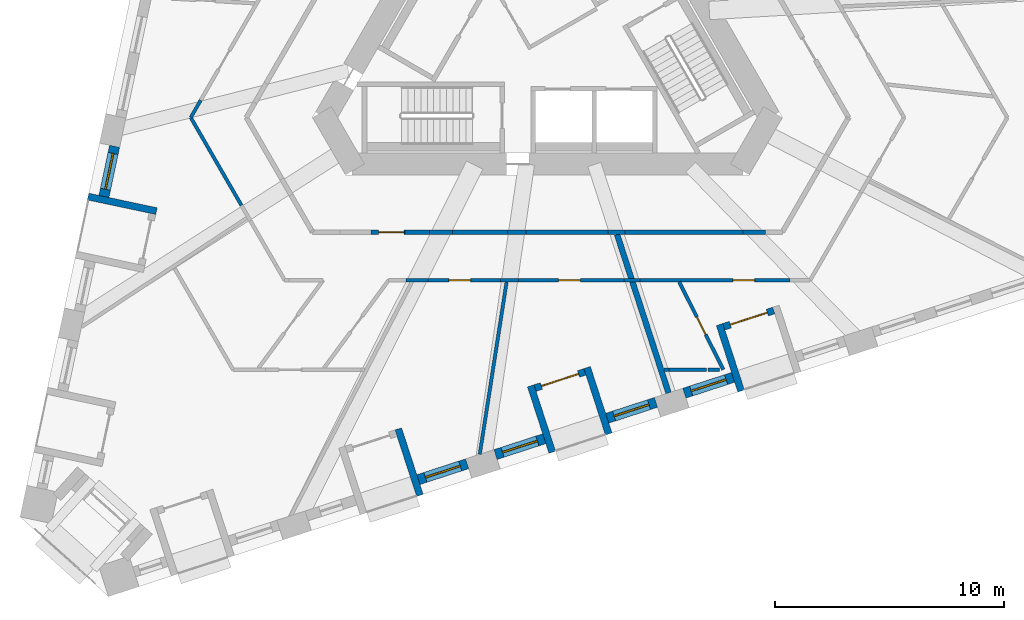
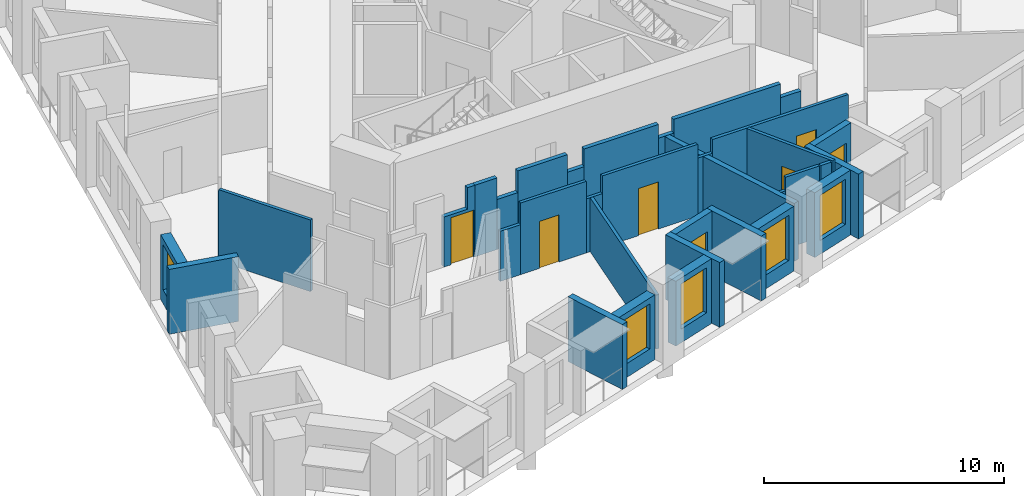
# One storey, part 3 of 12: 35 walls, 7 doors, 5 windows, 12 openings.
"""IFC4 building model written with IfcOpenShell, lengths in metres."""

from ifc_helpers import new_model, si_unit, direction, frame, frame_2d, origin, place, context, subcontext, project, spatial, polyline, rectangle, outline, extrude, material, layer, layer_set, type_object, element, fill, save


model = new_model("IFC4")

# Units and contexts
model_context = context("Model", 3, precision=1e-05, world=origin(), true_north=direction((0.0, 1.0)))
body_context = subcontext(model_context, "Body", "Model", "MODEL_VIEW")
ifc_project = project(units=[si_unit("LENGTHUNIT", "METRE"), si_unit("AREAUNIT", "SQUARE_METRE"), si_unit("VOLUMEUNIT", "CUBIC_METRE"), si_unit("PLANEANGLEUNIT", "RADIAN"), si_unit("MASSUNIT", "GRAM", prefix="KILO")], contexts=[model_context])

# Site, building, storey
site_placement = place(None, origin())
site = spatial("IfcSite", under=ifc_project, at=site_placement, CompositionType="ELEMENT")
building_placement = place(site_placement, origin())
building = spatial("IfcBuilding", under=site, at=building_placement, Name="Tramontana Tower", CompositionType="ELEMENT")
storey_placement = place(building_placement, frame((0.0, 0.0, 88.39990234375)))
storey = spatial("IfcBuildingStorey", under=building, at=storey_placement, Name="L19", CompositionType="ELEMENT", Elevation=88.39990234375)

# Walls
ifc_material_1 = material(Name="Blockwork", Category="masonry")
ifc_layer_1 = layer(ifc_material_1, 0.199951171875)
ifc_layer_set_1 = layer_set([ifc_layer_1], Name="ENTRY WALL 200")
wall_type_1 = type_object("IfcWallType", Name="ENTRY WALL 200", PredefinedType="SOLIDWALL", material=ifc_layer_set_1)
wall_1_placement = place(storey_placement, frame((9.50439453125, -9.25, 0.0), z_axis=(0.0, 0.0, 1.0), x_axis=(-1.0, 0.0, 0.0)))
element("IfcWall", 1, at=wall_1_placement, inside=storey, type_object=wall_type_1, Name="Wall v20-ew2-1", PredefinedType="SOLIDWALL", context=body_context, shape_type="SweptSolid", body=[
    extrude(rectangle(XDim=0.9775390625, YDim=0.199951171875, at=frame_2d((0.48876953125, 0.0))), origin(), (0.0, 0.0, 1.0), 2.9501953125),
])
wall_2_placement = place(storey_placement, frame((8.52685546875, -9.25, 0.0), z_axis=(0.0, 0.0, 1.0), x_axis=(-1.0, 0.0, 0.0)))
element("IfcWall", 2, at=wall_2_placement, inside=storey, type_object=wall_type_1, Name="Wall v20-ew2-2", PredefinedType="SOLIDWALL", context=body_context, shape_type="SweptSolid", body=[
    extrude(rectangle(XDim=5.1533203125, YDim=0.199951171875, at=frame_2d((2.57666015625, 0.0))), origin(), (0.0, 0.0, 1.0), 3.650146484375),
])
wall_3_placement = place(storey_placement, frame((3.37353515625, -9.25, 0.0), z_axis=(0.0, 0.0, 1.0), x_axis=(-1.0, 0.0, 0.0)))
element("IfcWall", 3, at=wall_3_placement, inside=storey, type_object=wall_type_1, Name="Wall v20-ew2-3", PredefinedType="SOLIDWALL", context=body_context, shape_type="SweptSolid", body=[
    extrude(rectangle(XDim=0.736083984375, YDim=0.199951171875, at=frame_2d((0.3681640625, 0.0))), origin(), (0.0, 0.0, 1.0), 2.9501953125),
])
wall_4_placement = place(storey_placement, frame((2.637451171875, -9.25, 0.0), z_axis=(0.0, 0.0, 1.0), x_axis=(-1.0, 0.0, 0.0)))
element("IfcWall", 4, at=wall_4_placement, inside=storey, type_object=wall_type_1, Name="Wall v20-ew2-4", PredefinedType="SOLIDWALL", context=body_context, shape_type="SweptSolid", body=[
    extrude(rectangle(XDim=3.576904296875, YDim=0.199951171875, at=frame_2d((1.78857421875, 0.0))), origin(), (0.0, 0.0, 1.0), 3.650146484375),
])
wall_5_placement = place(storey_placement, frame((-0.939453125, -9.25, 0.0), z_axis=(0.0, 0.0, 1.0), x_axis=(-1.0, 0.0, 0.0)))
element("IfcWall", 5, at=wall_5_placement, inside=storey, type_object=wall_type_1, Name="Wall v20-ew2-5", PredefinedType="SOLIDWALL", context=body_context, shape_type="SweptSolid", body=[
    extrude(rectangle(XDim=0.808349609375, YDim=0.199951171875, at=frame_2d((0.404296875, 0.0))), origin(), (0.0, 0.0, 1.0), 2.75),
])
wall_6_placement = place(storey_placement, frame((-1.747802734375, -9.25, 0.0), z_axis=(0.0, 0.0, 1.0), x_axis=(-1.0, 0.0, 0.0)))
element("IfcWall", 6, at=wall_6_placement, inside=storey, type_object=wall_type_1, Name="Wall v20-ew2-6", PredefinedType="SOLIDWALL", context=body_context, shape_type="SweptSolid", body=[
    extrude(rectangle(XDim=2.385498046875, YDim=0.199951171875, at=frame_2d((1.19287109375, 0.0))), origin(), (0.0, 0.0, 1.0), 3.650146484375),
])
wall_7_placement = place(storey_placement, frame((-4.13330078125, -9.25, 0.0), z_axis=(0.0, 0.0, 1.0), x_axis=(-1.0, 0.0, 0.0)))
element("IfcWall", 7, at=wall_7_placement, inside=storey, type_object=wall_type_1, Name="Wall v20-ew2-7", PredefinedType="SOLIDWALL", context=body_context, shape_type="SweptSolid", body=[
    extrude(rectangle(XDim=1.0068359375, YDim=0.199951171875, at=frame_2d((0.50341796875, 0.0))), origin(), (0.0, 0.0, 1.0), 2.550048828125),
])
wall_8_placement = place(storey_placement, frame((-5.14013671875, -9.25, 0.0), z_axis=(0.0, 0.0, 1.0), x_axis=(-1.0, 0.0, 0.0)))
element("IfcWall", 8, at=wall_8_placement, inside=storey, type_object=wall_type_1, Name="Wall v20-ew2-8", PredefinedType="SOLIDWALL", context=body_context, shape_type="SweptSolid", body=[
    extrude(rectangle(XDim=1.069580078125, YDim=0.199951171875, at=frame_2d((0.53466796875, 0.0))), origin(), (0.0, 0.0, 1.0), 3.650146484375),
])

# Wall, opening, door
wall_9_placement = place(storey_placement, frame((-7.695556640625, -9.25, 0.0), z_axis=(0.0, 0.0, 1.0), x_axis=(1.0, 0.0, 0.0)))
wall_9 = element("IfcWall", 9, at=wall_9_placement, inside=storey, type_object=wall_type_1, Name="Wall v20-ew2-9", PredefinedType="SOLIDWALL", context=body_context, shape_type="SweptSolid", body=[
    extrude(outline(polyline([(0.0, 0.0), (1.48583984375, 0.0), (1.48583984375, 3.650146484375), (1.13623046875, 3.650146484375), (1.13623046875, 2.550048828125), (0.0, 2.550048828125), (0.0, 0.0)])), frame((0.0, 0.10009765625, 0.0), z_axis=(0.0, -1.0, 0.0), x_axis=(1.0, 0.0, 0.0)), (0.0, 0.0, 1.0), 0.199951171875),
])
opening_1_placement = place(wall_9_placement, frame((0.3359375, 0.0, 0.0)))
opening_1 = element("IfcOpeningElement", 10, at=opening_1_placement, cuts=wall_9, Name="Opening B2A-23", PredefinedType="OPENING", context=body_context, shape_type="SweptSolid", body=[
    extrude(rectangle(XDim=1.10009765625, YDim=2.39990234375, at=frame_2d((0.550048828125, 1.199951171875))), frame((0.0, 0.10986328125, 0.0), z_axis=(0.0, -1.0, 0.0), x_axis=(1.0, 0.0, 0.0)), (0.0, 0.0, 1.0), 0.219970703125),
])
ifc_material_2 = material(Name="Painted timber", Category="wood")
door_type_1 = type_object("IfcDoorType", Name="DOOR ENTRY 1100", OperationType="SINGLE_SWING_LEFT", PredefinedType="DOOR", material=ifc_material_2)
door_1_placement = place(opening_1_placement, origin())
door_1 = element("IfcDoor", 11, at=door_1_placement, inside=storey, type_object=door_type_1, Name="Door B2A-23", OperationType="SINGLE_SWING_LEFT", OverallHeight=2.39990234375, OverallWidth=1.10009765625, PredefinedType="DOOR", context=body_context, shape_type="SweptSolid", body=[
    extrude(rectangle(XDim=1.10009765625, YDim=2.39990234375, at=frame_2d((0.550048828125, 1.199951171875))), frame((0.0, 0.02490234375, 0.0), z_axis=(0.0, -1.0, 0.0), x_axis=(1.0, 0.0, 0.0)), (0.0, 0.0, 1.0), 0.050048828125),
])
fill(opening_1, door_1)

# Wall, opening, window
ifc_material_3 = material(Name="Precast concrete 60 MPa", Category="concrete")
ifc_layer_2 = layer(ifc_material_3, 0.449951171875)
ifc_layer_set_2 = layer_set([ifc_layer_2], Name="Precast concrete 60 MPa, 450 mm")
wall_type_2 = type_object("IfcWallType", Name="EW1 Stone-faced precast wall 450", PredefinedType="SOLIDWALL", material=ifc_layer_set_2)
wall_10_placement = place(storey_placement, frame((-18.882080078125, -5.504638671875, 0.0), z_axis=(0.0, 0.0, 1.0), x_axis=(-0.207918801611, -0.978146089261, 0.0)))
wall_10 = element("IfcWall", 12, at=wall_10_placement, inside=storey, type_object=wall_type_2, Name="External wall L19 face 0 bay 5", PredefinedType="SOLIDWALL", context=body_context, shape_type="SweptSolid", body=[
    extrude(rectangle(XDim=2.23681640625, YDim=0.449951171875, at=frame_2d((1.118408203125, 0.0))), origin(), (0.0, 0.0, 1.0), 3.300048828125),
])
opening_2_placement = place(wall_10_placement, frame((0.318359375, 0.0, 0.699951171875)))
opening_2 = element("IfcOpeningElement", 13, at=opening_2_placement, cuts=wall_10, Name="Opening M1", PredefinedType="OPENING", context=body_context, shape_type="SweptSolid", body=[
    extrude(rectangle(XDim=1.60009765625, YDim=2.300048828125, at=frame_2d((0.800048828125, 1.14990234375))), frame((0.0, 0.23486328125, 0.0), z_axis=(0.0, -1.0, 0.0), x_axis=(1.0, 0.0, 0.0)), (0.0, 0.0, 1.0), 0.469970703125),
])
ifc_material_4 = material(Name="Aluminum frame, double glazing unit", Category="aluminium")
window_type = type_object("IfcWindowType", Name="M1 Window 1.6 x 2.3", PartitioningType="SINGLE_PANEL", PredefinedType="WINDOW", material=ifc_material_4)
window_1_placement = place(opening_2_placement, origin())
window_1 = element("IfcWindow", 14, at=window_1_placement, inside=storey, type_object=window_type, Name="Window M1 L19 face 0 module 13", OverallHeight=2.300048828125, OverallWidth=1.60009765625, PartitioningType="SINGLE_PANEL", PredefinedType="WINDOW", context=body_context, shape_type="SweptSolid", body=[
    extrude(rectangle(XDim=1.60009765625, YDim=2.300048828125, at=frame_2d((0.800048828125, 1.14990234375))), frame((0.0, 0.030029296875, 0.0), z_axis=(0.0, -1.0, 0.0), x_axis=(1.0, 0.0, 0.0)), (0.0, 0.0, 1.0), 0.06005859375),
])
fill(opening_2, window_1)

wall_11_placement = place(storey_placement, frame((-5.628173828125, -20.045166015625, 0.0), z_axis=(0.0, 0.0, 1.0), x_axis=(0.951057328329, 0.30901449518, 0.0)))
wall_11 = element("IfcWall", 15, at=wall_11_placement, inside=storey, type_object=wall_type_2, Name="External wall L19 face 1 bay 2", PredefinedType="SOLIDWALL", context=body_context, shape_type="SweptSolid", body=[
    extrude(rectangle(XDim=2.236572265625, YDim=0.449951171875, at=frame_2d((1.1181640625, 0.0))), origin(), (0.0, 0.0, 1.0), 3.300048828125),
])
opening_3_placement = place(wall_11_placement, frame((0.318359375, 0.0, 0.699951171875)))
opening_3 = element("IfcOpeningElement", 16, at=opening_3_placement, cuts=wall_11, Name="Opening M1", PredefinedType="OPENING", context=body_context, shape_type="SweptSolid", body=[
    extrude(rectangle(XDim=1.60009765625, YDim=2.300048828125, at=frame_2d((0.800048828125, 1.14990234375))), frame((0.0, 0.23486328125, 0.0), z_axis=(0.0, -1.0, 0.0), x_axis=(1.0, 0.0, 0.0)), (0.0, 0.0, 1.0), 0.469970703125),
])
window_2_placement = place(opening_3_placement, origin())
window_2 = element("IfcWindow", 17, at=window_2_placement, inside=storey, type_object=window_type, Name="Window M1 L19 face 1 module 6", OverallHeight=2.300048828125, OverallWidth=1.60009765625, PartitioningType="SINGLE_PANEL", PredefinedType="WINDOW", context=body_context, shape_type="SweptSolid", body=[
    extrude(rectangle(XDim=1.60009765625, YDim=2.300048828125, at=frame_2d((0.800048828125, 1.14990234375))), frame((0.0, 0.030029296875, 0.0), z_axis=(0.0, -1.0, 0.0), x_axis=(1.0, 0.0, 0.0)), (0.0, 0.0, 1.0), 0.06005859375),
])
fill(opening_3, window_2)

wall_12_placement = place(storey_placement, frame((-2.264404296875, -18.952392578125, 0.0), z_axis=(0.0, 0.0, 1.0), x_axis=(0.951057328329, 0.30901449518, 0.0)))
wall_12 = element("IfcWall", 18, at=wall_12_placement, inside=storey, type_object=wall_type_2, Name="External wall L19 face 1 bay 3", PredefinedType="SOLIDWALL", context=body_context, shape_type="SweptSolid", body=[
    extrude(rectangle(XDim=2.236572265625, YDim=0.449951171875, at=frame_2d((1.1181640625, 0.0))), origin(), (0.0, 0.0, 1.0), 3.300048828125),
])
opening_4_placement = place(wall_12_placement, frame((0.318359375, 0.0, 0.699951171875)))
opening_4 = element("IfcOpeningElement", 19, at=opening_4_placement, cuts=wall_12, Name="Opening M1", PredefinedType="OPENING", context=body_context, shape_type="SweptSolid", body=[
    extrude(rectangle(XDim=1.60009765625, YDim=2.300048828125, at=frame_2d((0.800048828125, 1.14990234375))), frame((0.0, 0.23486328125, 0.0), z_axis=(0.0, -1.0, 0.0), x_axis=(1.0, 0.0, 0.0)), (0.0, 0.0, 1.0), 0.469970703125),
])
window_3_placement = place(opening_4_placement, origin())
window_3 = element("IfcWindow", 20, at=window_3_placement, inside=storey, type_object=window_type, Name="Window M1 L19 face 1 module 7", OverallHeight=2.300048828125, OverallWidth=1.60009765625, PartitioningType="SINGLE_PANEL", PredefinedType="WINDOW", context=body_context, shape_type="SweptSolid", body=[
    extrude(rectangle(XDim=1.60009765625, YDim=2.300048828125, at=frame_2d((0.800048828125, 1.14990234375))), frame((0.0, 0.030029296875, 0.0), z_axis=(0.0, -1.0, 0.0), x_axis=(1.0, 0.0, 0.0)), (0.0, 0.0, 1.0), 0.06005859375),
])
fill(opening_4, window_3)

wall_13_placement = place(storey_placement, frame((2.608154296875, -17.369140625, 0.0), z_axis=(0.0, 0.0, 1.0), x_axis=(0.951067749801, 0.30898241906, 0.0)))
wall_13 = element("IfcWall", 21, at=wall_13_placement, inside=storey, type_object=wall_type_2, Name="External wall L19 face 1 bay 3", PredefinedType="SOLIDWALL", context=body_context, shape_type="SweptSolid", body=[
    extrude(rectangle(XDim=2.23681640625, YDim=0.449951171875, at=frame_2d((1.118408203125, 0.0))), origin(), (0.0, 0.0, 1.0), 3.300048828125),
])
opening_5_placement = place(wall_13_placement, frame((0.318359375, 0.0, 0.699951171875)))
opening_5 = element("IfcOpeningElement", 22, at=opening_5_placement, cuts=wall_13, Name="Opening M1", PredefinedType="OPENING", context=body_context, shape_type="SweptSolid", body=[
    extrude(rectangle(XDim=1.60009765625, YDim=2.300048828125, at=frame_2d((0.800048828125, 1.14990234375))), frame((0.0, 0.23486328125, 0.0), z_axis=(0.0, -1.0, 0.0), x_axis=(1.0, 0.0, 0.0)), (0.0, 0.0, 1.0), 0.469970703125),
])
window_4_placement = place(opening_5_placement, origin())
window_4 = element("IfcWindow", 23, at=window_4_placement, inside=storey, type_object=window_type, Name="Window M1 L19 face 1 module 9", OverallHeight=2.300048828125, OverallWidth=1.60009765625, PartitioningType="SINGLE_PANEL", PredefinedType="WINDOW", context=body_context, shape_type="SweptSolid", body=[
    extrude(rectangle(XDim=1.60009765625, YDim=2.300048828125, at=frame_2d((0.800048828125, 1.14990234375))), frame((0.0, 0.030029296875, 0.0), z_axis=(0.0, -1.0, 0.0), x_axis=(1.0, 0.0, 0.0)), (0.0, 0.0, 1.0), 0.06005859375),
])
fill(opening_5, window_4)

wall_14_placement = place(storey_placement, frame((5.971923828125, -16.276123046875, 0.0), z_axis=(0.0, 0.0, 1.0), x_axis=(0.951057328329, 0.30901449518, 0.0)))
wall_14 = element("IfcWall", 24, at=wall_14_placement, inside=storey, type_object=wall_type_2, Name="External wall L19 face 1 bay 4", PredefinedType="SOLIDWALL", context=body_context, shape_type="SweptSolid", body=[
    extrude(rectangle(XDim=2.236572265625, YDim=0.449951171875, at=frame_2d((1.1181640625, 0.0))), origin(), (0.0, 0.0, 1.0), 3.300048828125),
])
opening_6_placement = place(wall_14_placement, frame((0.318359375, 0.0, 0.699951171875)))
opening_6 = element("IfcOpeningElement", 25, at=opening_6_placement, cuts=wall_14, Name="Opening M1", PredefinedType="OPENING", context=body_context, shape_type="SweptSolid", body=[
    extrude(rectangle(XDim=1.60009765625, YDim=2.300048828125, at=frame_2d((0.800048828125, 1.14990234375))), frame((0.0, 0.23486328125, 0.0), z_axis=(0.0, -1.0, 0.0), x_axis=(1.0, 0.0, 0.0)), (0.0, 0.0, 1.0), 0.469970703125),
])
window_5_placement = place(opening_6_placement, origin())
window_5 = element("IfcWindow", 26, at=window_5_placement, inside=storey, type_object=window_type, Name="Window M1 L19 face 1 module 10", OverallHeight=2.300048828125, OverallWidth=1.60009765625, PartitioningType="SINGLE_PANEL", PredefinedType="WINDOW", context=body_context, shape_type="SweptSolid", body=[
    extrude(rectangle(XDim=1.60009765625, YDim=2.300048828125, at=frame_2d((0.800048828125, 1.14990234375))), frame((0.0, 0.030029296875, 0.0), z_axis=(0.0, -1.0, 0.0), x_axis=(1.0, 0.0, 0.0)), (0.0, 0.0, 1.0), 0.06005859375),
])
fill(opening_6, window_5)

# Walls
ifc_material_5 = material(Name="Precast concrete 60 MPa", Category="concrete")
ifc_layer_3 = layer(ifc_material_5, 0.300048828125)
ifc_layer_set_3 = layer_set([ifc_layer_3], Name="LW1 Stone-faced loggia wall 300")
wall_type_3 = type_object("IfcWallType", Name="LW1 Stone-faced loggia wall 300", PredefinedType="SOLIDWALL", material=ifc_layer_set_3)
for number, where, z_axis, x_axis, name in (
    (27, (-20.03857421875, -7.698974609375, 0.0), (0.0, 0.0, 1.0), (0.978154782045, -0.207877902534, 0.0), "Loggia return L19 G2S0.13a"),
    (28, (-5.562255859375, -20.733642578125, 0.0), (0.0, 0.0, 1.0), (-0.308966615996, 0.951072883748, 0.0), "Loggia return L19 G2S1.4b"),
):
    element("IfcWall", number, at=place(storey_placement, frame(where, z_axis=z_axis, x_axis=x_axis)), inside=storey, type_object=wall_type_3, Name=name, PredefinedType="SOLIDWALL", context=body_context, shape_type="SweptSolid", body=[
        extrude(rectangle(XDim=3.050048828125, YDim=0.300048828125, at=frame_2d((1.52490234375, 0.0))), origin(), (0.0, 0.0, 1.0), 3.300048828125),
    ])

# Wall, opening, door
wall_15_placement = place(storey_placement, frame((-0.53955078125, -16.05224609375, 0.0), z_axis=(0.0, 0.0, 1.0), x_axis=(0.951078776318, 0.308948476671, 0.0)))
wall_15 = element("IfcWall", 29, at=wall_15_placement, inside=storey, type_object=wall_type_3, Name="Loggia wall L19 G2S1.7", PredefinedType="SOLIDWALL", context=body_context, shape_type="SweptSolid", body=[
    extrude(rectangle(XDim=2.286865234375, YDim=0.300048828125, at=frame_2d((1.1435546875, 0.0))), origin(), (0.0, 0.0, 1.0), 3.300048828125),
])
opening_7_placement = place(wall_15_placement, frame((0.29345703125, 0.0, 0.0)))
opening_7 = element("IfcOpeningElement", 30, at=opening_7_placement, cuts=wall_15, Name="Opening BD-2S1-07", PredefinedType="OPENING", context=body_context, shape_type="SweptSolid", body=[
    extrude(rectangle(XDim=1.699951171875, YDim=2.39990234375, at=frame_2d((0.85009765625, 1.199951171875))), frame((0.0, 0.159912109375, 0.0), z_axis=(0.0, -1.0, 0.0), x_axis=(1.0, 0.0, 0.0)), (0.0, 0.0, 1.0), 0.320068359375),
])
ifc_material_6 = material(Name="Aluminum frame, double glazing unit", Category="aluminium")
door_type_2 = type_object("IfcDoorType", Name="BD1 Sliding door 1.7 x 2.4", OperationType="SLIDING_TO_LEFT", PredefinedType="DOOR", material=ifc_material_6)
door_2_placement = place(opening_7_placement, origin())
door_2 = element("IfcDoor", 31, at=door_2_placement, inside=storey, type_object=door_type_2, Name="Loggia door L19 G2S1.7", OperationType="SLIDING_TO_LEFT", OverallHeight=2.39990234375, OverallWidth=1.699951171875, PredefinedType="DOOR", context=body_context, shape_type="SweptSolid", body=[
    extrude(rectangle(XDim=1.699951171875, YDim=2.39990234375, at=frame_2d((0.85009765625, 1.199951171875))), frame((0.0, 0.02490234375, 0.0), z_axis=(0.0, -1.0, 0.0), x_axis=(1.0, 0.0, 0.0)), (0.0, 0.0, 1.0), 0.050048828125),
])
fill(opening_7, door_2)

# Walls
wall_16_placement = place(storey_placement, frame((0.214111328125, -18.856689453125, 0.0), z_axis=(0.0, 0.0, 1.0), x_axis=(-0.309062542235, 0.951041715693, 0.0)))
element("IfcWall", 32, at=wall_16_placement, inside=storey, type_object=wall_type_3, Name="Loggia return L19 G2S1.7a", PredefinedType="SOLIDWALL", context=body_context, shape_type="SweptSolid", body=[
    extrude(rectangle(XDim=3.050048828125, YDim=0.300048828125, at=frame_2d((1.52490234375, 0.0))), origin(), (0.0, 0.0, 1.0), 3.300048828125),
])
wall_17_placement = place(storey_placement, frame((2.674072265625, -18.057373046875, 0.0), z_axis=(0.0, 0.0, 1.0), x_axis=(-0.308990138358, 0.951065241925, 0.0)))
element("IfcWall", 33, at=wall_17_placement, inside=storey, type_object=wall_type_3, Name="Loggia return L19 G2S1.7b", PredefinedType="SOLIDWALL", context=body_context, shape_type="SweptSolid", body=[
    extrude(rectangle(XDim=3.0498046875, YDim=0.300048828125, at=frame_2d((1.52490234375, 0.0))), origin(), (0.0, 0.0, 1.0), 3.300048828125),
])

# Wall, opening, door
wall_18_placement = place(storey_placement, frame((7.697021484375, -13.376220703125, 0.0), z_axis=(0.0, 0.0, 1.0), x_axis=(0.95103720697, 0.309076416051, 0.0)))
wall_18 = element("IfcWall", 34, at=wall_18_placement, inside=storey, type_object=wall_type_3, Name="Loggia wall L19 G2S1.10", PredefinedType="SOLIDWALL", context=body_context, shape_type="SweptSolid", body=[
    extrude(rectangle(XDim=2.286865234375, YDim=0.300048828125, at=frame_2d((1.1435546875, 0.0))), origin(), (0.0, 0.0, 1.0), 3.300048828125),
])
opening_8_placement = place(wall_18_placement, frame((0.29345703125, 0.0, 0.0)))
opening_8 = element("IfcOpeningElement", 35, at=opening_8_placement, cuts=wall_18, Name="Opening BD-2S1-10", PredefinedType="OPENING", context=body_context, shape_type="SweptSolid", body=[
    extrude(rectangle(XDim=1.699951171875, YDim=2.39990234375, at=frame_2d((0.85009765625, 1.199951171875))), frame((0.0, 0.159912109375, 0.0), z_axis=(0.0, -1.0, 0.0), x_axis=(1.0, 0.0, 0.0)), (0.0, 0.0, 1.0), 0.320068359375),
])
door_3_placement = place(opening_8_placement, origin())
door_3 = element("IfcDoor", 36, at=door_3_placement, inside=storey, type_object=door_type_2, Name="Loggia door L19 G2S1.10", OperationType="SLIDING_TO_LEFT", OverallHeight=2.39990234375, OverallWidth=1.699951171875, PredefinedType="DOOR", context=body_context, shape_type="SweptSolid", body=[
    extrude(rectangle(XDim=1.699951171875, YDim=2.39990234375, at=frame_2d((0.85009765625, 1.199951171875))), frame((0.0, 0.02490234375, 0.0), z_axis=(0.0, -1.0, 0.0), x_axis=(1.0, 0.0, 0.0)), (0.0, 0.0, 1.0), 0.050048828125),
])
fill(opening_8, door_3)

# Walls
wall_19_placement = place(storey_placement, frame((8.450439453125, -16.1806640625, 0.0), z_axis=(0.0, 0.0, 1.0), x_axis=(-0.309039015525, 0.951049360908, 0.0)))
element("IfcWall", 37, at=wall_19_placement, inside=storey, type_object=wall_type_3, Name="Loggia return L19 G2S1.10a", PredefinedType="SOLIDWALL", context=body_context, shape_type="SweptSolid", body=[
    extrude(rectangle(XDim=3.05029296875, YDim=0.300048828125, at=frame_2d((1.525146484375, 0.0))), origin(), (0.0, 0.0, 1.0), 3.300048828125),
])
ifc_material_7 = material(Name="Gypsum board partition")
ifc_layer_4 = layer(ifc_material_7, 0.14990234375)
ifc_layer_set_4 = layer_set([ifc_layer_4], Name="PARTITION 150")
wall_type_4 = type_object("IfcWallType", Name="PARTITION 150", PredefinedType="PARTITIONING", material=ifc_layer_set_4)
wall_20_placement = place(storey_placement, frame((-15.5595703125, -4.25, 0.0), z_axis=(0.0, 0.0, 1.0), x_axis=(0.499884524299, 0.866092063448, 0.0)))
element("IfcWall", 38, at=wall_20_placement, inside=storey, type_object=wall_type_4, Name="Wall v20-pw02-0", PredefinedType="PARTITIONING", context=body_context, shape_type="SweptSolid", body=[
    extrude(rectangle(XDim=0.869384765625, YDim=0.14990234375, at=frame_2d((0.4345703125, 0.0))), origin(), (0.0, 0.0, 1.0), 2.9501953125),
])
wall_21_placement = place(storey_placement, frame((-13.3466796875, -8.0830078125, 0.0), z_axis=(0.0, 0.0, 1.0), x_axis=(-0.499983483481, 0.866034939391, 0.0)))
element("IfcWall", 39, at=wall_21_placement, inside=storey, type_object=wall_type_4, Name="Wall v20-pw06-3", PredefinedType="PARTITIONING", context=body_context, shape_type="SweptSolid", body=[
    extrude(rectangle(XDim=4.426025390625, YDim=0.14990234375, at=frame_2d((2.212890625, 0.0))), origin(), (0.0, 0.0, 1.0), 3.650146484375),
])
wall_22_placement = place(storey_placement, frame((-1.781005859375, -11.425048828125, 0.0), z_axis=(0.0, 0.0, 1.0), x_axis=(-0.153998853513, -0.988071026352, 0.0)))
element("IfcWall", 40, at=wall_22_placement, inside=storey, type_object=wall_type_4, Name="Wall v20-pw20-0", PredefinedType="PARTITIONING", context=body_context, shape_type="SweptSolid", body=[
    extrude(rectangle(XDim=7.60498046875, YDim=0.14990234375, at=frame_2d((3.802490234375, 0.0))), origin(), (0.0, 0.0, 1.0), 2.75),
])

# Wall, opening, door
wall_23_placement = place(storey_placement, frame((7.6748046875, -15.25, 0.0), z_axis=(0.0, 0.0, 1.0), x_axis=(-0.449561059641, 0.893249603221, 0.0)))
wall_23 = element("IfcWall", 41, at=wall_23_placement, inside=storey, type_object=wall_type_4, Name="Wall v20-pw24", PredefinedType="PARTITIONING", context=body_context, shape_type="SweptSolid", body=[
    extrude(rectangle(XDim=4.281982421875, YDim=0.14990234375, at=frame_2d((2.14111328125, 0.0))), origin(), (0.0, 0.0, 1.0), 3.650146484375),
])
opening_9_placement = place(wall_23_placement, frame((1.716064453125, 0.0, 0.0)))
opening_9 = element("IfcOpeningElement", 42, at=opening_9_placement, cuts=wall_23, Name="Opening B2A-20", PredefinedType="OPENING", context=body_context, shape_type="SweptSolid", body=[
    extrude(rectangle(XDim=0.85009765625, YDim=2.39990234375, at=frame_2d((0.425048828125, 1.199951171875))), frame((0.0, 0.0849609375, 0.0), z_axis=(0.0, -1.0, 0.0), x_axis=(1.0, 0.0, 0.0)), (0.0, 0.0, 1.0), 0.169921875),
])
ifc_material_8 = material(Name="Painted timber", Category="wood")
door_type_3 = type_object("IfcDoorType", Name="DOOR BATH 850", OperationType="SINGLE_SWING_LEFT", PredefinedType="DOOR", material=ifc_material_8)
door_4_placement = place(opening_9_placement, origin())
door_4 = element("IfcDoor", 43, at=door_4_placement, inside=storey, type_object=door_type_3, Name="Door B2A-20", OperationType="SINGLE_SWING_RIGHT", OverallHeight=2.39990234375, OverallWidth=0.85009765625, PredefinedType="DOOR", context=body_context, shape_type="SweptSolid", body=[
    extrude(rectangle(XDim=0.85009765625, YDim=2.39990234375, at=frame_2d((0.425048828125, 1.199951171875))), frame((0.0, 0.02490234375, 0.0), z_axis=(0.0, -1.0, 0.0), x_axis=(1.0, 0.0, 0.0)), (0.0, 0.0, 1.0), 0.050048828125),
])
fill(opening_9, door_4)

# Walls
wall_24_placement = place(storey_placement, frame((6.9404296875, -15.25, 0.0), z_axis=(0.0, 0.0, 1.0), x_axis=(-1.0, 0.0, 0.0)))
element("IfcWall", 44, at=wall_24_placement, inside=storey, type_object=wall_type_4, Name="Wall v20-pw25-0", PredefinedType="PARTITIONING", context=body_context, shape_type="SweptSolid", body=[
    extrude(rectangle(XDim=1.630615234375, YDim=0.14990234375, at=frame_2d((0.8154296875, 0.0))), origin(), (0.0, 0.0, 1.0), 3.650146484375),
])
wall_25_placement = place(storey_placement, frame((5.309814453125, -15.25, 0.0), z_axis=(0.0, 0.0, 1.0), x_axis=(-1.0, 0.0, 0.0)))
element("IfcWall", 45, at=wall_25_placement, inside=storey, type_object=wall_type_4, Name="Wall v20-pw25-1", PredefinedType="PARTITIONING", context=body_context, shape_type="SweptSolid", body=[
    extrude(rectangle(XDim=0.223388671875, YDim=0.14990234375, at=frame_2d((0.11181640625, 0.0))), origin(), (0.0, 0.0, 1.0), 2.9501953125),
])
wall_26_placement = place(storey_placement, frame((7.512451171875, -15.25, 0.0), z_axis=(0.0, 0.0, 1.0), x_axis=(-1.0, 0.0, 0.0)))
element("IfcWall", 46, at=wall_26_placement, inside=storey, type_object=wall_type_4, Name="Wall v20-pw27", PredefinedType="PARTITIONING", context=body_context, shape_type="SweptSolid", body=[
    extrude(rectangle(XDim=0.502197265625, YDim=0.14990234375, at=frame_2d((0.2509765625, 0.0))), origin(), (0.0, 0.0, 1.0), 3.650146484375),
])

# Wall, opening, door
wall_27_placement = place(storey_placement, frame((10.591064453125, -11.35009765625, 0.0), z_axis=(0.0, 0.0, 1.0), x_axis=(-1.0, 0.0, 0.0)))
wall_27 = element("IfcWall", 47, at=wall_27_placement, inside=storey, type_object=wall_type_4, Name="Wall v20-pw32-1", PredefinedType="PARTITIONING", context=body_context, shape_type="SweptSolid", body=[
    extrude(rectangle(XDim=6.54833984375, YDim=0.14990234375, at=frame_2d((3.274169921875, 0.0))), origin(), (0.0, 0.0, 1.0), 3.650146484375),
])
opening_10_placement = place(wall_27_placement, frame((1.55126953125, 0.0, 0.0)))
opening_10 = element("IfcOpeningElement", 48, at=opening_10_placement, cuts=wall_27, Name="Opening B2A-17", PredefinedType="OPENING", context=body_context, shape_type="SweptSolid", body=[
    extrude(rectangle(XDim=0.949951171875, YDim=2.39990234375, at=frame_2d((0.47509765625, 1.199951171875))), frame((0.0, 0.0849609375, 0.0), z_axis=(0.0, -1.0, 0.0), x_axis=(1.0, 0.0, 0.0)), (0.0, 0.0, 1.0), 0.169921875),
])
ifc_material_9 = material(Name="Painted timber", Category="wood")
door_type_4 = type_object("IfcDoorType", Name="DOOR ROOM 950", OperationType="SINGLE_SWING_LEFT", PredefinedType="DOOR", material=ifc_material_9)
door_5_placement = place(opening_10_placement, origin())
door_5 = element("IfcDoor", 49, at=door_5_placement, inside=storey, type_object=door_type_4, Name="Door B2A-17", OperationType="SINGLE_SWING_LEFT", OverallHeight=2.39990234375, OverallWidth=0.949951171875, PredefinedType="DOOR", context=body_context, shape_type="SweptSolid", body=[
    extrude(rectangle(XDim=0.949951171875, YDim=2.39990234375, at=frame_2d((0.47509765625, 1.199951171875))), frame((0.0, 0.02490234375, 0.0), z_axis=(0.0, -1.0, 0.0), x_axis=(1.0, 0.0, 0.0)), (0.0, 0.0, 1.0), 0.050048828125),
])
fill(opening_10, door_5)

# Wall
wall_28_placement = place(storey_placement, frame((4.042724609375, -11.35009765625, 0.0), z_axis=(0.0, 0.0, 1.0), x_axis=(-1.0, 0.0, 0.0)))
element("IfcWall", 50, at=wall_28_placement, inside=storey, type_object=wall_type_4, Name="Wall v20-pw32-2", PredefinedType="PARTITIONING", context=body_context, shape_type="SweptSolid", body=[
    extrude(rectangle(XDim=0.709716796875, YDim=0.14990234375, at=frame_2d((0.35498046875, 0.0))), origin(), (0.0, 0.0, 1.0), 2.9501953125),
])

# Wall, opening, door
wall_29_placement = place(storey_placement, frame((3.3330078125, -11.35009765625, 0.0), z_axis=(0.0, 0.0, 1.0), x_axis=(-1.0, 0.0, 0.0)))
wall_29 = element("IfcWall", 51, at=wall_29_placement, inside=storey, type_object=wall_type_4, Name="Wall v20-pw32-3", PredefinedType="PARTITIONING", context=body_context, shape_type="SweptSolid", body=[
    extrude(rectangle(XDim=4.590087890625, YDim=0.14990234375, at=frame_2d((2.294921875, 0.0))), origin(), (0.0, 0.0, 1.0), 3.650146484375),
])
opening_11_placement = place(wall_29_placement, frame((1.900146484375, 0.0, 0.0)))
opening_11 = element("IfcOpeningElement", 52, at=opening_11_placement, cuts=wall_29, Name="Opening B2A-13", PredefinedType="OPENING", context=body_context, shape_type="SweptSolid", body=[
    extrude(rectangle(XDim=0.949951171875, YDim=2.39990234375, at=frame_2d((0.47509765625, 1.199951171875))), frame((0.0, 0.0849609375, 0.0), z_axis=(0.0, -1.0, 0.0), x_axis=(1.0, 0.0, 0.0)), (0.0, 0.0, 1.0), 0.169921875),
])
door_6_placement = place(opening_11_placement, origin())
door_6 = element("IfcDoor", 53, at=door_6_placement, inside=storey, type_object=door_type_4, Name="Door B2A-13", OperationType="SINGLE_SWING_LEFT", OverallHeight=2.39990234375, OverallWidth=0.949951171875, PredefinedType="DOOR", context=body_context, shape_type="SweptSolid", body=[
    extrude(rectangle(XDim=0.949951171875, YDim=2.39990234375, at=frame_2d((0.47509765625, 1.199951171875))), frame((0.0, 0.02490234375, 0.0), z_axis=(0.0, -1.0, 0.0), x_axis=(1.0, 0.0, 0.0)), (0.0, 0.0, 1.0), 0.050048828125),
])
fill(opening_11, door_6)

# Wall
wall_30_placement = place(storey_placement, frame((-1.257080078125, -11.35009765625, 0.0), z_axis=(0.0, 0.0, 1.0), x_axis=(-1.0, 0.0, 0.0)))
element("IfcWall", 54, at=wall_30_placement, inside=storey, type_object=wall_type_4, Name="Wall v20-pw32-4", PredefinedType="PARTITIONING", context=body_context, shape_type="SweptSolid", body=[
    extrude(rectangle(XDim=0.783203125, YDim=0.14990234375, at=frame_2d((0.3916015625, 0.0))), origin(), (0.0, 0.0, 1.0), 2.75),
])

# Wall, opening, door
wall_31_placement = place(storey_placement, frame((-2.040283203125, -11.35009765625, 0.0), z_axis=(0.0, 0.0, 1.0), x_axis=(-1.0, 0.0, 0.0)))
wall_31 = element("IfcWall", 55, at=wall_31_placement, inside=storey, type_object=wall_type_4, Name="Wall v20-pw32-5", PredefinedType="PARTITIONING", context=body_context, shape_type="SweptSolid", body=[
    extrude(rectangle(XDim=3.15966796875, YDim=0.14990234375, at=frame_2d((1.579833984375, 0.0))), origin(), (0.0, 0.0, 1.0), 3.650146484375),
])
opening_12_placement = place(wall_31_placement, frame((1.30712890625, 0.0, 0.0)))
opening_12 = element("IfcOpeningElement", 56, at=opening_12_placement, cuts=wall_31, Name="Opening B2A-12", PredefinedType="OPENING", context=body_context, shape_type="SweptSolid", body=[
    extrude(rectangle(XDim=0.949951171875, YDim=2.39990234375, at=frame_2d((0.47509765625, 1.199951171875))), frame((0.0, 0.0849609375, 0.0), z_axis=(0.0, -1.0, 0.0), x_axis=(1.0, 0.0, 0.0)), (0.0, 0.0, 1.0), 0.169921875),
])
door_7_placement = place(opening_12_placement, origin())
door_7 = element("IfcDoor", 57, at=door_7_placement, inside=storey, type_object=door_type_4, Name="Door B2A-12", OperationType="SINGLE_SWING_RIGHT", OverallHeight=2.39990234375, OverallWidth=0.949951171875, PredefinedType="DOOR", context=body_context, shape_type="SweptSolid", body=[
    extrude(rectangle(XDim=0.949951171875, YDim=2.39990234375, at=frame_2d((0.47509765625, 1.199951171875))), frame((0.0, 0.02490234375, 0.0), z_axis=(0.0, -1.0, 0.0), x_axis=(1.0, 0.0, 0.0)), (0.0, 0.0, 1.0), 0.050048828125),
])
fill(opening_12, door_7)

# Walls
wall_32_placement = place(storey_placement, frame((-5.199951171875, -11.35009765625, 0.0), z_axis=(0.0, 0.0, 1.0), x_axis=(-1.0, 0.0, 0.0)))
element("IfcWall", 58, at=wall_32_placement, inside=storey, type_object=wall_type_4, Name="Wall v20-pw32-6", PredefinedType="PARTITIONING", context=body_context, shape_type="SweptSolid", body=[
    extrude(rectangle(XDim=0.978759765625, YDim=0.14990234375, at=frame_2d((0.4892578125, 0.0))), origin(), (0.0, 0.0, 1.0), 2.550048828125),
])
ifc_material_10 = material(Name="Blockwork", Category="masonry")
ifc_layer_5 = layer(ifc_material_10, 0.25)
ifc_layer_set_5 = layer_set([ifc_layer_5], Name="PARTY WALL 250")
wall_type_5 = type_object("IfcWallType", Name="PARTY WALL 250", PredefinedType="SOLIDWALL", material=ifc_layer_set_5)
wall_33_placement = place(storey_placement, frame((3.0380859375, -9.35009765625, 0.0), z_axis=(0.0, 0.0, 1.0), x_axis=(0.309004048829, -0.951060722461, 0.0)))
element("IfcWall", 59, at=wall_33_placement, inside=storey, type_object=wall_type_5, Name="Wall v20-pw22-0", PredefinedType="SOLIDWALL", context=body_context, shape_type="SweptSolid", body=[
    extrude(rectangle(XDim=7.268798828125, YDim=0.25, at=frame_2d((3.63427734375, 0.0))), origin(), (0.0, 0.0, 1.0), 2.9501953125),
])

save(model, "model.ifc")
